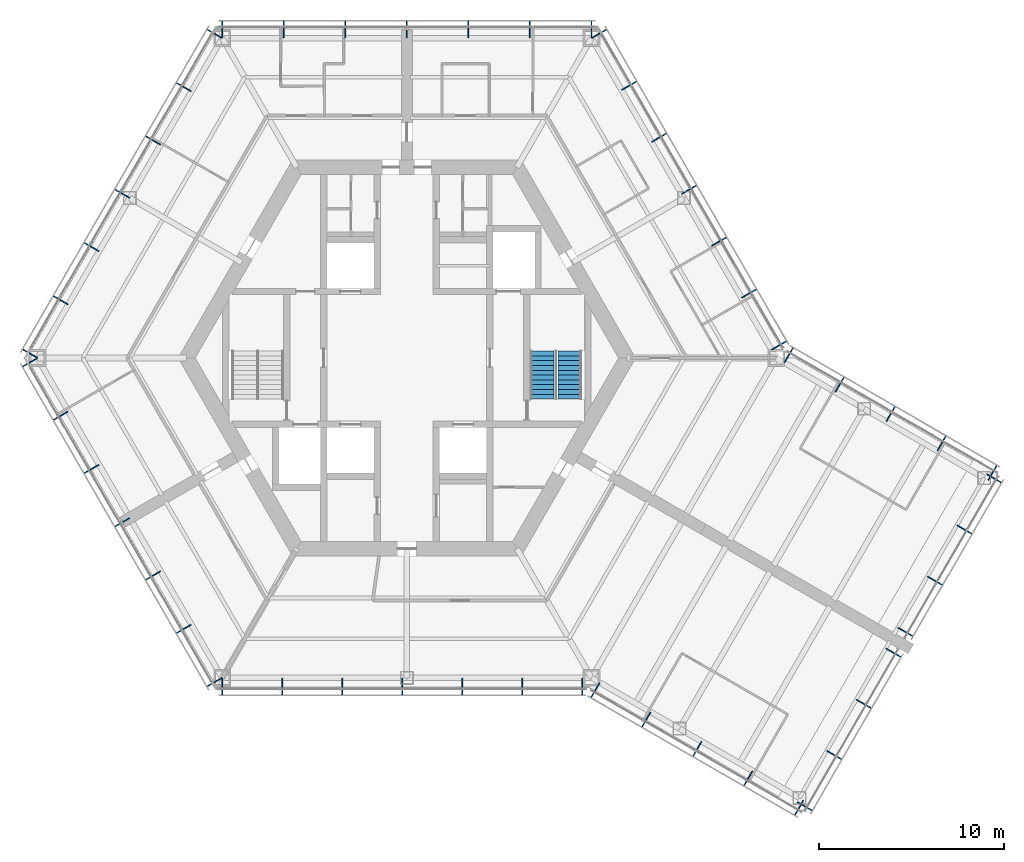
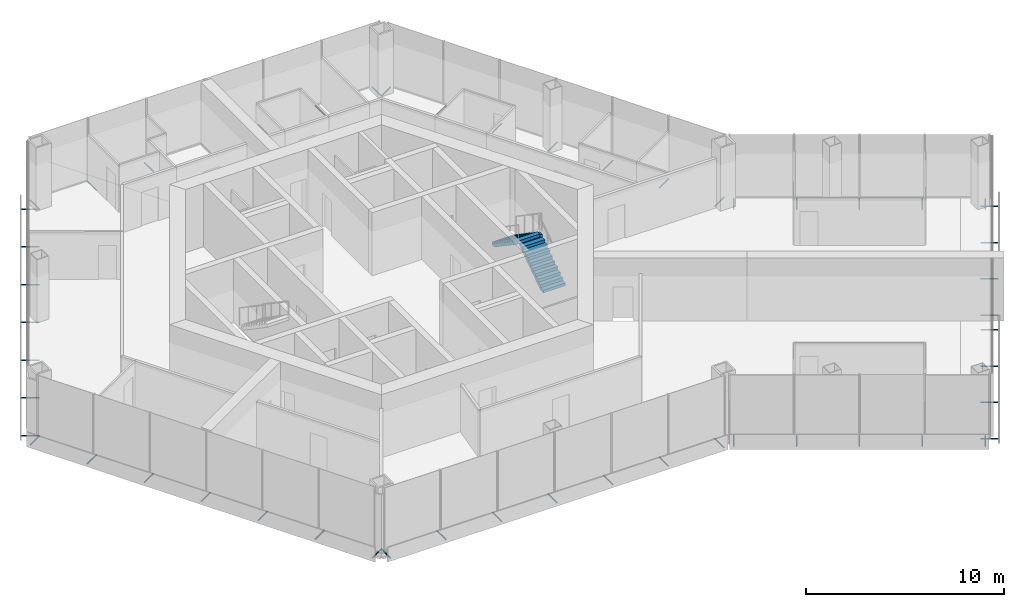
# One storey, part 13 of 15: 53 discrete accessories, 2 stair flights, 1 element without a shape of its own.
"""IFC4 building model written with IfcOpenShell, lengths in metres."""

from ifc_helpers import new_model, si_unit, direction, frame, origin, origin_2d, place, context, subcontext, project, spatial, polyline, hollow_circle, outline, extrude, material, material_profile, profile_set, type_object, element, aggregate, save


model = new_model("IFC4")

# Units and contexts
model_context = context("Model", 3, precision=1e-05, world=origin(), true_north=direction((0.0, 1.0)))
body_context = subcontext(model_context, "Body", "Model", "MODEL_VIEW")
ifc_project = project(units=[si_unit("LENGTHUNIT", "METRE"), si_unit("AREAUNIT", "SQUARE_METRE"), si_unit("VOLUMEUNIT", "CUBIC_METRE"), si_unit("PLANEANGLEUNIT", "RADIAN"), si_unit("MASSUNIT", "GRAM", prefix="KILO")], contexts=[model_context])

# Site, building, storey
site_placement = place(None, origin())
site = spatial("IfcSite", under=ifc_project, at=site_placement, CompositionType="ELEMENT")
building_placement = place(site_placement, origin())
building = spatial("IfcBuilding", under=site, at=building_placement, Name="Kasaneha Research Tower", CompositionType="ELEMENT")
storey_placement = place(building_placement, frame((0.0, 0.0, 212.800048828125)))
storey = spatial("IfcBuildingStorey", under=building, at=storey_placement, Name="L53", CompositionType="ELEMENT", Elevation=212.800048828125)

# Stair, stair flights
ifc_material_1 = material(Name="Concrete Fc24", Category="concrete")
stair_type = type_object("IfcStairType", Name="Half-turn stair 22 risers", PredefinedType="HALF_TURN_STAIR", material=ifc_material_1)
stair_placement = place(storey_placement, origin())
stair = element("IfcStair", 1, at=stair_placement, inside=storey, type_object=stair_type, Name="Stair 1 L53", PredefinedType="HALF_TURN_STAIR")
ifc_material_2 = material(Name="Concrete Fc24", Category="concrete")
stair_flight_type = type_object("IfcStairFlightType", Name="Stair flight 11 risers 177.3", PredefinedType="STRAIGHT", material=ifc_material_2)
stair_flight_1_placement = place(storey_placement, frame((8.824951171875, -2.22509765625, 0.0), z_axis=(0.0, 0.0, 1.0), x_axis=(0.0, 1.0, 0.0)))
stair_flight_1 = element("IfcStairFlight", 2, at=stair_flight_1_placement, type_object=stair_flight_type, Name="ST1-22R flight 1", NumberOfRisers=11, NumberOfTreads=10, PredefinedType="STRAIGHT", RiserHeight=0.177272727, TreadLength=0.26, context=body_context, shape_type="SweptSolid", body=[
    extrude(outline(polyline([(0.0, 0.0), (0.0, 0.17724609375), (0.260009765625, 0.17724609375), (0.260009765625, 0.3544921875), (0.52001953125, 0.3544921875), (0.52001953125, 0.53173828125), (0.780029296875, 0.53173828125), (0.780029296875, 0.708984375), (1.0400390625, 0.708984375), (1.0400390625, 0.886474609375), (1.300048828125, 0.886474609375), (1.300048828125, 1.063720703125), (1.56005859375, 1.063720703125), (1.56005859375, 1.240966796875), (1.820068359375, 1.240966796875), (1.820068359375, 1.418212890625), (2.080078125, 1.418212890625), (2.080078125, 1.595458984375), (2.340087890625, 1.595458984375), (2.340087890625, 1.772705078125), (2.60009765625, 1.772705078125), (2.60009765625, 1.949951171875), (2.60009765625, 1.59130859375), (0.26611328125, 0.0), (0.0, 0.0)])), frame((0.0, 0.64990234375, 0.0), z_axis=(0.0, -1.0, 0.0), x_axis=(1.0, 0.0, 0.0)), (0.0, 0.0, 1.0), 1.300048828125),
])
stair_flight_2_placement = place(storey_placement, frame((7.324951171875, 0.375, 1.949951171875), z_axis=(0.0, 0.0, 1.0), x_axis=(0.0, -1.0, 0.0)))
stair_flight_2 = element("IfcStairFlight", 3, at=stair_flight_2_placement, type_object=stair_flight_type, Name="ST1-22R flight 2", NumberOfRisers=11, NumberOfTreads=10, PredefinedType="STRAIGHT", RiserHeight=0.177272727, TreadLength=0.26, context=body_context, shape_type="SweptSolid", body=[
    extrude(outline(polyline([(0.0, 0.0), (0.0, 0.17724609375), (0.260009765625, 0.17724609375), (0.260009765625, 0.3544921875), (0.52001953125, 0.3544921875), (0.52001953125, 0.53173828125), (0.780029296875, 0.53173828125), (0.780029296875, 0.708984375), (1.0400390625, 0.708984375), (1.0400390625, 0.886474609375), (1.300048828125, 0.886474609375), (1.300048828125, 1.063720703125), (1.56005859375, 1.063720703125), (1.56005859375, 1.240966796875), (1.820068359375, 1.240966796875), (1.820068359375, 1.418212890625), (2.080078125, 1.418212890625), (2.080078125, 1.595458984375), (2.340087890625, 1.595458984375), (2.340087890625, 1.772705078125), (2.60009765625, 1.772705078125), (2.60009765625, 1.949951171875), (2.60009765625, 1.59130859375), (0.26611328125, 0.0), (0.0, 0.0)])), frame((0.0, 0.64990234375, 0.0), z_axis=(0.0, -1.0, 0.0), x_axis=(1.0, 0.0, 0.0)), (0.0, 0.0, 1.0), 1.300048828125),
])
aggregate(stair, [stair_flight_1, stair_flight_2])

# Discrete accessories
ifc_material_3 = material(Name="Steel STK400", Category="steel")
ifc_material_profile = material_profile(ifc_material_3, hollow_circle(Radius=0.0380859375, WallThickness=0.00390625, at=origin_2d()), Name="CHS-76.3x4.0")
ifc_profile_set = profile_set([ifc_material_profile], Name="Steel STK400")
discrete_accessory_type = type_object("IfcDiscreteAccessoryType", Name="Screen bracket CHS-76.3x4.0", PredefinedType="BRACKET", material=ifc_profile_set)
for number, where, z_axis, x_axis, name in (
    (4, (19.74462890625, 0.4423828125, -0.300048828125), (0.866013213425, 0.500021113727, 0.0), (-0.500021113727, 0.866013213425, 0.0), "Screen bracket 1"),
    (5, (18.120849609375, 3.2548828125, -0.300048828125), (0.866013213425, 0.500021113727, 0.0), (-0.500021113727, 0.866013213425, 0.0), "Screen bracket 2"),
    (6, (16.4970703125, 6.0673828125, -0.300048828125), (0.866013213425, 0.500021113727, 0.0), (-0.500021113727, 0.866013213425, 0.0), "Screen bracket 3"),
    (7, (14.873291015625, 8.8798828125, -0.300048828125), (0.866013213425, 0.500021113727, 0.0), (-0.500021113727, 0.866013213425, 0.0), "Screen bracket 4"),
    (8, (13.24951171875, 11.6923828125, -0.300048828125), (0.866013213425, 0.500021113727, 0.0), (-0.500021113727, 0.866013213425, 0.0), "Screen bracket 5"),
):
    element("IfcDiscreteAccessory", number, at=place(storey_placement, frame(where, z_axis=z_axis, x_axis=x_axis)), inside=storey, type_object=discrete_accessory_type, Name=name, PredefinedType="BRACKET", context=body_context, shape_type="SweptSolid", body=[
        extrude(hollow_circle(Radius=0.0380859375, WallThickness=0.00390625, at=origin_2d()), origin(), (0.0, 0.0, 1.0), 0.919921875),
    ])
for number, where, z_axis, x_axis, name in (
    (9, (11.62548828125, 14.5048828125, -0.300048828125), (0.866079547155, 0.499906209203, 0.0), (-0.499906209203, 0.866079547155, 0.0), "Screen bracket 6"),
    (10, (10.001708984375, 17.3173828125, -0.300048828125), (0.866079547155, 0.499906209203, 0.0), (-0.499906209203, 0.866079547155, 0.0), "Screen bracket 7"),
):
    element("IfcDiscreteAccessory", number, at=place(storey_placement, frame(where, z_axis=z_axis, x_axis=x_axis)), inside=storey, type_object=discrete_accessory_type, Name=name, PredefinedType="BRACKET", context=body_context, shape_type="SweptSolid", body=[
        extrude(hollow_circle(Radius=0.0380859375, WallThickness=0.00390625, at=origin_2d()), origin(), (0.0, 0.0, 1.0), 0.920166015625),
    ])
for number, where, z_axis, x_axis, name in (
    (11, (9.996337890625, 17.320556640625, -0.300048828125), (0.0, 1.0, 0.0), (-1.0, 0.0, 0.0), "Screen bracket 1"),
    (12, (6.664306640625, 17.320556640625, -0.300048828125), (0.0, 1.0, 0.0), (-1.0, 0.0, 0.0), "Screen bracket 2"),
    (13, (3.33203125, 17.320556640625, -0.300048828125), (0.0, 1.0, 0.0), (-1.0, 0.0, 0.0), "Screen bracket 3"),
    (14, (0.0, 17.320556640625, -0.300048828125), (0.0, 1.0, 0.0), (-1.0, 0.0, 0.0), "Screen bracket 4"),
    (15, (-3.33203125, 17.320556640625, -0.300048828125), (0.0, 1.0, 0.0), (-1.0, 0.0, 0.0), "Screen bracket 5"),
    (16, (-6.664306640625, 17.320556640625, -0.300048828125), (0.0, 1.0, 0.0), (-1.0, 0.0, 0.0), "Screen bracket 6"),
    (17, (-9.996337890625, 17.320556640625, -0.300048828125), (0.0, 1.0, 0.0), (-1.0, 0.0, 0.0), "Screen bracket 7"),
):
    element("IfcDiscreteAccessory", number, at=place(storey_placement, frame(where, z_axis=z_axis, x_axis=x_axis)), inside=storey, type_object=discrete_accessory_type, Name=name, PredefinedType="BRACKET", context=body_context, shape_type="SweptSolid", body=[
        extrude(hollow_circle(Radius=0.0380859375, WallThickness=0.00390625, at=origin_2d()), origin(), (0.0, 0.0, 1.0), 0.919921875),
    ])
discrete_accessory_1_placement = place(storey_placement, frame((-10.001708984375, 17.3173828125, -0.300048828125), z_axis=(-0.866079547155, 0.499906209203, 0.0), x_axis=(-0.499906209203, -0.866079547155, 0.0)))
element("IfcDiscreteAccessory", 18, at=discrete_accessory_1_placement, inside=storey, type_object=discrete_accessory_type, Name="Screen bracket 1", PredefinedType="BRACKET", context=body_context, shape_type="SweptSolid", body=[
    extrude(hollow_circle(Radius=0.0380859375, WallThickness=0.00390625, at=origin_2d()), origin(), (0.0, 0.0, 1.0), 0.920166015625),
])
for number, where, z_axis, x_axis, name in (
    (19, (-11.66796875, 14.431640625, -0.300048828125), (-0.866013213425, 0.500021113727, 0.0), (-0.500021113727, -0.866013213425, 0.0), "Screen bracket 2"),
    (20, (-13.333984375, 11.5458984375, -0.300048828125), (-0.866013213425, 0.500021113727, 0.0), (-0.500021113727, -0.866013213425, 0.0), "Screen bracket 3"),
    (21, (-15.0, 8.66015625, -0.300048828125), (-0.865898279276, 0.500220121494, 0.0), (-0.500220121494, -0.865898279276, 0.0), "Screen bracket 4"),
):
    element("IfcDiscreteAccessory", number, at=place(storey_placement, frame(where, z_axis=z_axis, x_axis=x_axis)), inside=storey, type_object=discrete_accessory_type, Name=name, PredefinedType="BRACKET", context=body_context, shape_type="SweptSolid", body=[
        extrude(hollow_circle(Radius=0.0380859375, WallThickness=0.00390625, at=origin_2d()), origin(), (0.0, 0.0, 1.0), 0.919921875),
    ])
for number, where, z_axis, x_axis, name in (
    (22, (-16.666015625, 5.774658203125, -0.300048828125), (-0.866079547155, 0.499906209203, 0.0), (-0.499906209203, -0.866079547155, 0.0), "Screen bracket 5"),
    (23, (-18.33203125, 2.888916015625, -0.300048828125), (-0.866079547155, 0.499906209203, 0.0), (-0.499906209203, -0.866079547155, 0.0), "Screen bracket 6"),
):
    element("IfcDiscreteAccessory", number, at=place(storey_placement, frame(where, z_axis=z_axis, x_axis=x_axis)), inside=storey, type_object=discrete_accessory_type, Name=name, PredefinedType="BRACKET", context=body_context, shape_type="SweptSolid", body=[
        extrude(hollow_circle(Radius=0.0380859375, WallThickness=0.00390625, at=origin_2d()), origin(), (0.0, 0.0, 1.0), 0.920166015625),
    ])
for number, where, z_axis, x_axis, name in (
    (24, (-19.998291015625, 0.003173828125, -0.300048828125), (-0.866013213425, 0.500021113727, 0.0), (-0.500021113727, -0.866013213425, 0.0), "Screen bracket 7"),
    (25, (-19.998291015625, -0.003173828125, -0.300048828125), (-0.866013213425, -0.500021113727, 0.0), (0.500021113727, -0.866013213425, 0.0), "Screen bracket 1"),
):
    element("IfcDiscreteAccessory", number, at=place(storey_placement, frame(where, z_axis=z_axis, x_axis=x_axis)), inside=storey, type_object=discrete_accessory_type, Name=name, PredefinedType="BRACKET", context=body_context, shape_type="SweptSolid", body=[
        extrude(hollow_circle(Radius=0.0380859375, WallThickness=0.00390625, at=origin_2d()), origin(), (0.0, 0.0, 1.0), 0.919921875),
    ])
for number, where, z_axis, x_axis, name in (
    (26, (-18.33203125, -2.888916015625, -0.300048828125), (-0.866079547155, -0.499906209203, 0.0), (0.499906209203, -0.866079547155, 0.0), "Screen bracket 2"),
    (27, (-16.666015625, -5.774658203125, -0.300048828125), (-0.866079547155, -0.499906209203, 0.0), (0.499906209203, -0.866079547155, 0.0), "Screen bracket 3"),
):
    element("IfcDiscreteAccessory", number, at=place(storey_placement, frame(where, z_axis=z_axis, x_axis=x_axis)), inside=storey, type_object=discrete_accessory_type, Name=name, PredefinedType="BRACKET", context=body_context, shape_type="SweptSolid", body=[
        extrude(hollow_circle(Radius=0.0380859375, WallThickness=0.00390625, at=origin_2d()), origin(), (0.0, 0.0, 1.0), 0.920166015625),
    ])
for number, where, z_axis, x_axis, name in (
    (28, (-15.0, -8.66015625, -0.300048828125), (-0.865898279276, -0.500220121494, 0.0), (0.500220121494, -0.865898279276, 0.0), "Screen bracket 4"),
    (29, (-13.333984375, -11.5458984375, -0.300048828125), (-0.866013213425, -0.500021113727, 0.0), (0.500021113727, -0.866013213425, 0.0), "Screen bracket 5"),
    (30, (-11.66796875, -14.431640625, -0.300048828125), (-0.866013213425, -0.500021113727, 0.0), (0.500021113727, -0.866013213425, 0.0), "Screen bracket 6"),
):
    element("IfcDiscreteAccessory", number, at=place(storey_placement, frame(where, z_axis=z_axis, x_axis=x_axis)), inside=storey, type_object=discrete_accessory_type, Name=name, PredefinedType="BRACKET", context=body_context, shape_type="SweptSolid", body=[
        extrude(hollow_circle(Radius=0.0380859375, WallThickness=0.00390625, at=origin_2d()), origin(), (0.0, 0.0, 1.0), 0.919921875),
    ])
discrete_accessory_2_placement = place(storey_placement, frame((-10.001708984375, -17.3173828125, -0.300048828125), z_axis=(-0.866079547155, -0.499906209203, 0.0), x_axis=(0.499906209203, -0.866079547155, 0.0)))
element("IfcDiscreteAccessory", 31, at=discrete_accessory_2_placement, inside=storey, type_object=discrete_accessory_type, Name="Screen bracket 7", PredefinedType="BRACKET", context=body_context, shape_type="SweptSolid", body=[
    extrude(hollow_circle(Radius=0.0380859375, WallThickness=0.00390625, at=origin_2d()), origin(), (0.0, 0.0, 1.0), 0.920166015625),
])
for number, where, z_axis, x_axis, name in (
    (32, (-9.996337890625, -17.320556640625, -0.300048828125), (0.0, -1.0, 0.0), (1.0, 0.0, 0.0), "Screen bracket 1"),
    (33, (-6.748779296875, -17.320556640625, -0.300048828125), (0.0, -1.0, 0.0), (1.0, 0.0, 0.0), "Screen bracket 2"),
    (34, (-3.501220703125, -17.320556640625, -0.300048828125), (0.0, -1.0, 0.0), (1.0, 0.0, 0.0), "Screen bracket 3"),
    (35, (-0.253662109375, -17.320556640625, -0.300048828125), (0.0, -1.0, 0.0), (1.0, 0.0, 0.0), "Screen bracket 4"),
    (36, (2.993896484375, -17.320556640625, -0.300048828125), (0.0, -1.0, 0.0), (1.0, 0.0, 0.0), "Screen bracket 5"),
    (37, (6.24169921875, -17.320556640625, -0.300048828125), (0.0, -1.0, 0.0), (1.0, 0.0, 0.0), "Screen bracket 6"),
    (38, (9.4892578125, -17.320556640625, -0.300048828125), (0.0, -1.0, 0.0), (1.0, 0.0, 0.0), "Screen bracket 7"),
    (39, (10.4423828125, -17.575927734375, -0.300048828125), (-0.500021113727, -0.866013213425, 0.0), (0.866013213425, -0.500021113727, 0.0), "Screen bracket 1"),
):
    element("IfcDiscreteAccessory", number, at=place(storey_placement, frame(where, z_axis=z_axis, x_axis=x_axis)), inside=storey, type_object=discrete_accessory_type, Name=name, PredefinedType="BRACKET", context=body_context, shape_type="SweptSolid", body=[
        extrude(hollow_circle(Radius=0.0380859375, WallThickness=0.00390625, at=origin_2d()), origin(), (0.0, 0.0, 1.0), 0.919921875),
    ])
discrete_accessory_3_placement = place(storey_placement, frame((13.200439453125, -19.168212890625, -0.300048828125), z_axis=(-0.499906209203, -0.866079547155, 0.0), x_axis=(0.866079547155, -0.499906209203, 0.0)))
element("IfcDiscreteAccessory", 40, at=discrete_accessory_3_placement, inside=storey, type_object=discrete_accessory_type, Name="Screen bracket 2", PredefinedType="BRACKET", context=body_context, shape_type="SweptSolid", body=[
    extrude(hollow_circle(Radius=0.0380859375, WallThickness=0.00390625, at=origin_2d()), origin(), (0.0, 0.0, 1.0), 0.920166015625),
])
discrete_accessory_4_placement = place(storey_placement, frame((15.95849609375, -20.7607421875, -0.300048828125), z_axis=(-0.500021113727, -0.866013213425, 0.0), x_axis=(0.866013213425, -0.500021113727, 0.0)))
element("IfcDiscreteAccessory", 41, at=discrete_accessory_4_placement, inside=storey, type_object=discrete_accessory_type, Name="Screen bracket 3", PredefinedType="BRACKET", context=body_context, shape_type="SweptSolid", body=[
    extrude(hollow_circle(Radius=0.0380859375, WallThickness=0.00390625, at=origin_2d()), origin(), (0.0, 0.0, 1.0), 0.919921875),
])
discrete_accessory_5_placement = place(storey_placement, frame((18.716796875, -22.35302734375, -0.300048828125), z_axis=(-0.500105201737, -0.865964657013, 0.0), x_axis=(0.865964657013, -0.500105201737, 0.0)))
element("IfcDiscreteAccessory", 42, at=discrete_accessory_5_placement, inside=storey, type_object=discrete_accessory_type, Name="Screen bracket 4", PredefinedType="BRACKET", context=body_context, shape_type="SweptSolid", body=[
    extrude(hollow_circle(Radius=0.0380859375, WallThickness=0.00390625, at=origin_2d()), origin(), (0.0, 0.0, 1.0), 0.920166015625),
])
discrete_accessory_6_placement = place(storey_placement, frame((21.474853515625, -23.945556640625, -0.300048828125), z_axis=(-0.500021113727, -0.866013213425, 0.0), x_axis=(0.866013213425, -0.500021113727, 0.0)))
element("IfcDiscreteAccessory", 43, at=discrete_accessory_6_placement, inside=storey, type_object=discrete_accessory_type, Name="Screen bracket 5", PredefinedType="BRACKET", context=body_context, shape_type="SweptSolid", body=[
    extrude(hollow_circle(Radius=0.0380859375, WallThickness=0.00390625, at=origin_2d()), origin(), (0.0, 0.0, 1.0), 0.919921875),
])
discrete_accessory_7_placement = place(storey_placement, frame((21.13330078125, -24.037109375, -0.300048828125), z_axis=(0.866079547155, -0.499906209203, 0.0), x_axis=(0.499906209203, 0.866079547155, 0.0)))
element("IfcDiscreteAccessory", 44, at=discrete_accessory_7_placement, inside=storey, type_object=discrete_accessory_type, Name="Screen bracket 1", PredefinedType="BRACKET", context=body_context, shape_type="SweptSolid", body=[
    extrude(hollow_circle(Radius=0.0380859375, WallThickness=0.00390625, at=origin_2d()), origin(), (0.0, 0.0, 1.0), 0.920166015625),
])
discrete_accessory_8_placement = place(storey_placement, frame((22.7333984375, -21.265625, -0.300048828125), z_axis=(0.865898279276, -0.500220121494, 0.0), x_axis=(0.500220121494, 0.865898279276, 0.0)))
element("IfcDiscreteAccessory", 45, at=discrete_accessory_8_placement, inside=storey, type_object=discrete_accessory_type, Name="Screen bracket 2", PredefinedType="BRACKET", context=body_context, shape_type="SweptSolid", body=[
    extrude(hollow_circle(Radius=0.0380859375, WallThickness=0.00390625, at=origin_2d()), origin(), (0.0, 0.0, 1.0), 0.919921875),
])
discrete_accessory_9_placement = place(storey_placement, frame((24.333251953125, -18.494384765625, -0.300048828125), z_axis=(0.866079547155, -0.499906209203, 0.0), x_axis=(0.499906209203, 0.866079547155, 0.0)))
element("IfcDiscreteAccessory", 46, at=discrete_accessory_9_placement, inside=storey, type_object=discrete_accessory_type, Name="Screen bracket 3", PredefinedType="BRACKET", context=body_context, shape_type="SweptSolid", body=[
    extrude(hollow_circle(Radius=0.0380859375, WallThickness=0.00390625, at=origin_2d()), origin(), (0.0, 0.0, 1.0), 0.920166015625),
])
discrete_accessory_10_placement = place(storey_placement, frame((25.933349609375, -15.72314453125, -0.300048828125), z_axis=(0.866013213425, -0.500021113727, 0.0), x_axis=(0.500021113727, 0.866013213425, 0.0)))
element("IfcDiscreteAccessory", 47, at=discrete_accessory_10_placement, inside=storey, type_object=discrete_accessory_type, Name="Screen bracket 4", PredefinedType="BRACKET", context=body_context, shape_type="SweptSolid", body=[
    extrude(hollow_circle(Radius=0.0380859375, WallThickness=0.00390625, at=origin_2d()), origin(), (0.0, 0.0, 1.0), 0.919921875),
])
discrete_accessory_11_placement = place(storey_placement, frame((26.583251953125, -14.597412109375, -0.300048828125), z_axis=(0.866079547155, -0.499906209203, 0.0), x_axis=(0.499906209203, 0.866079547155, 0.0)))
element("IfcDiscreteAccessory", 48, at=discrete_accessory_11_placement, inside=storey, type_object=discrete_accessory_type, Name="Screen bracket 1", PredefinedType="BRACKET", context=body_context, shape_type="SweptSolid", body=[
    extrude(hollow_circle(Radius=0.0380859375, WallThickness=0.00390625, at=origin_2d()), origin(), (0.0, 0.0, 1.0), 0.920166015625),
])
for number, where, z_axis, x_axis, name in (
    (49, (28.183349609375, -11.826171875, -0.300048828125), (0.866013213425, -0.500021113727, 0.0), (0.500021113727, 0.866013213425, 0.0), "Screen bracket 2"),
    (50, (29.783447265625, -9.0546875, -0.300048828125), (0.865898279276, -0.500220121494, 0.0), (0.500220121494, 0.865898279276, 0.0), "Screen bracket 3"),
):
    element("IfcDiscreteAccessory", number, at=place(storey_placement, frame(where, z_axis=z_axis, x_axis=x_axis)), inside=storey, type_object=discrete_accessory_type, Name=name, PredefinedType="BRACKET", context=body_context, shape_type="SweptSolid", body=[
        extrude(hollow_circle(Radius=0.0380859375, WallThickness=0.00390625, at=origin_2d()), origin(), (0.0, 0.0, 1.0), 0.919921875),
    ])
discrete_accessory_12_placement = place(storey_placement, frame((31.38330078125, -6.283447265625, -0.300048828125), z_axis=(0.866079547155, -0.499906209203, 0.0), x_axis=(0.499906209203, 0.866079547155, 0.0)))
element("IfcDiscreteAccessory", 51, at=discrete_accessory_12_placement, inside=storey, type_object=discrete_accessory_type, Name="Screen bracket 4", PredefinedType="BRACKET", context=body_context, shape_type="SweptSolid", body=[
    extrude(hollow_circle(Radius=0.0380859375, WallThickness=0.00390625, at=origin_2d()), origin(), (0.0, 0.0, 1.0), 0.920166015625),
])
discrete_accessory_13_placement = place(storey_placement, frame((31.474853515625, -6.625, -0.300048828125), z_axis=(0.500021113727, 0.866013213425, 0.0), x_axis=(-0.866013213425, 0.500021113727, 0.0)))
element("IfcDiscreteAccessory", 52, at=discrete_accessory_13_placement, inside=storey, type_object=discrete_accessory_type, Name="Screen bracket 1", PredefinedType="BRACKET", context=body_context, shape_type="SweptSolid", body=[
    extrude(hollow_circle(Radius=0.0380859375, WallThickness=0.00390625, at=origin_2d()), origin(), (0.0, 0.0, 1.0), 0.919921875),
])
discrete_accessory_14_placement = place(storey_placement, frame((28.716796875, -5.03271484375, -0.300048828125), z_axis=(0.499906209203, 0.866079547155, 0.0), x_axis=(-0.866079547155, 0.499906209203, 0.0)))
element("IfcDiscreteAccessory", 53, at=discrete_accessory_14_placement, inside=storey, type_object=discrete_accessory_type, Name="Screen bracket 2", PredefinedType="BRACKET", context=body_context, shape_type="SweptSolid", body=[
    extrude(hollow_circle(Radius=0.0380859375, WallThickness=0.00390625, at=origin_2d()), origin(), (0.0, 0.0, 1.0), 0.920166015625),
])
discrete_accessory_15_placement = place(storey_placement, frame((25.95849609375, -3.440185546875, -0.300048828125), z_axis=(0.500220121494, 0.865898279276, 0.0), x_axis=(-0.865898279276, 0.500220121494, 0.0)))
element("IfcDiscreteAccessory", 54, at=discrete_accessory_15_placement, inside=storey, type_object=discrete_accessory_type, Name="Screen bracket 3", PredefinedType="BRACKET", context=body_context, shape_type="SweptSolid", body=[
    extrude(hollow_circle(Radius=0.0380859375, WallThickness=0.00390625, at=origin_2d()), origin(), (0.0, 0.0, 1.0), 0.919921875),
])
discrete_accessory_16_placement = place(storey_placement, frame((23.200439453125, -1.847900390625, -0.300048828125), z_axis=(0.499906209203, 0.866079547155, 0.0), x_axis=(-0.866079547155, 0.499906209203, 0.0)))
element("IfcDiscreteAccessory", 55, at=discrete_accessory_16_placement, inside=storey, type_object=discrete_accessory_type, Name="Screen bracket 4", PredefinedType="BRACKET", context=body_context, shape_type="SweptSolid", body=[
    extrude(hollow_circle(Radius=0.0380859375, WallThickness=0.00390625, at=origin_2d()), origin(), (0.0, 0.0, 1.0), 0.920166015625),
])
discrete_accessory_17_placement = place(storey_placement, frame((20.4423828125, -0.25537109375, -0.300048828125), z_axis=(0.500021113727, 0.866013213425, 0.0), x_axis=(-0.866013213425, 0.500021113727, 0.0)))
element("IfcDiscreteAccessory", 56, at=discrete_accessory_17_placement, inside=storey, type_object=discrete_accessory_type, Name="Screen bracket 5", PredefinedType="BRACKET", context=body_context, shape_type="SweptSolid", body=[
    extrude(hollow_circle(Radius=0.0380859375, WallThickness=0.00390625, at=origin_2d()), origin(), (0.0, 0.0, 1.0), 0.919921875),
])

save(model, "model.ifc")
